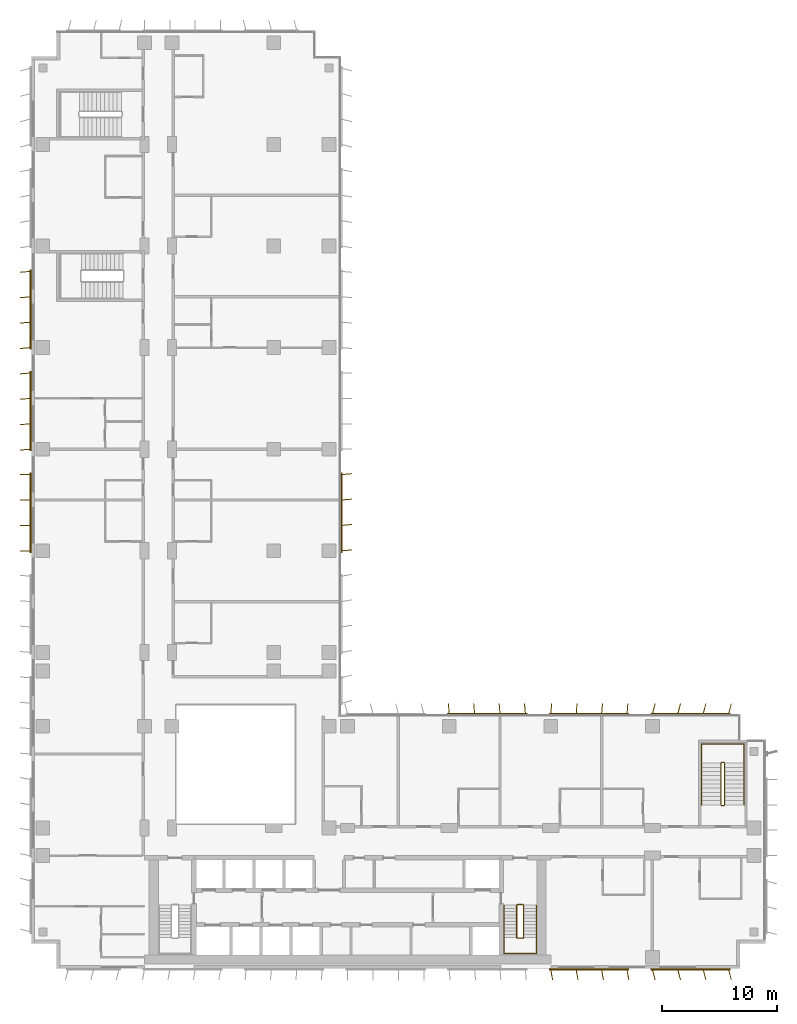
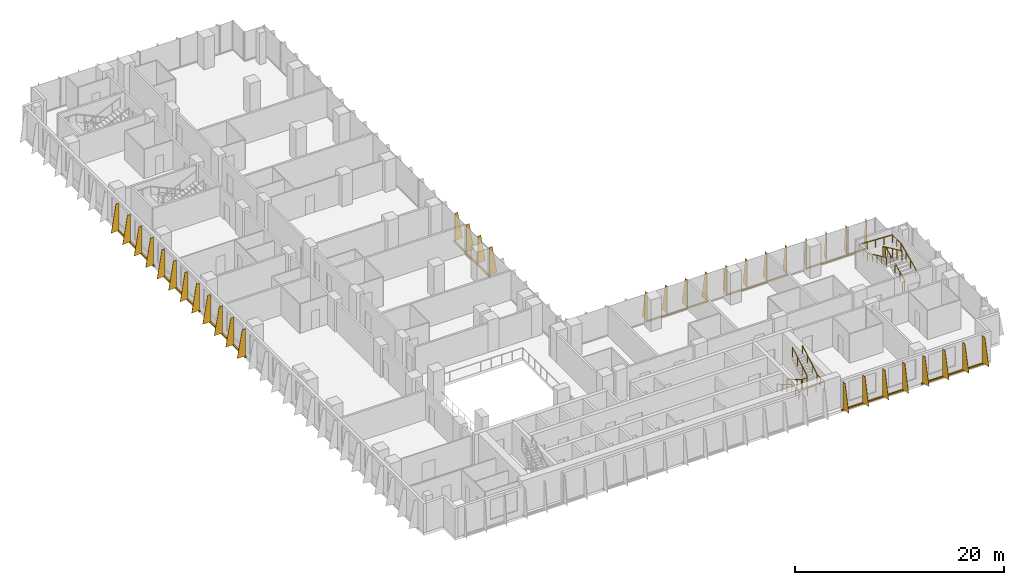
# One storey, part 20 of 22: 9 shading devices, 4 railings.
"""IFC4 building model written with IfcOpenShell, lengths in metres."""

from ifc_helpers import new_model, si_unit, direction, frame, origin, origin_2d, place, context, subcontext, project, spatial, polyline, rectangle, circle, outline, extrude, source, transform, mapped, material, layer, layer_set, type_object, element, save


model = new_model("IFC4")

# Units and contexts
model_context = context("Model", 3, precision=1e-05, world=origin(), true_north=direction((0.0, 1.0)))
body_context = subcontext(model_context, "Body", "Model", "MODEL_VIEW")
ifc_project = project(units=[si_unit("LENGTHUNIT", "METRE"), si_unit("AREAUNIT", "SQUARE_METRE"), si_unit("VOLUMEUNIT", "CUBIC_METRE"), si_unit("PLANEANGLEUNIT", "RADIAN"), si_unit("MASSUNIT", "GRAM", prefix="KILO")], contexts=[model_context])

# Site, building, storey
site_placement = place(None, origin())
site = spatial("IfcSite", under=ifc_project, at=site_placement, CompositionType="ELEMENT")
building_placement = place(site_placement, origin())
building = spatial("IfcBuilding", under=site, at=building_placement, Name="Kemantara Hotel Tower", CompositionType="ELEMENT")
storey_placement = place(building_placement, frame((0.0, 0.0, 122.199951171875)))
storey = spatial("IfcBuildingStorey", under=building, at=storey_placement, Name="L29", CompositionType="ELEMENT", Elevation=122.199951171875)

# Railings
ifc_material_1 = material(Name="Stainless steel balustrade", Category="steel")
railing_type_1 = type_object("IfcRailingType", Name="Stair guard 1100 mm", PredefinedType="GUARDRAIL", material=ifc_material_1)
railing_1_placement = place(storey_placement, frame((42.64990234375, 5.5, 3.699951171875)))
element("IfcRailing", 1, at=railing_1_placement, inside=storey, type_object=railing_type_1, Name="L29 ST2 stair guard 1", PredefinedType="GUARDRAIL", context=body_context, shape_type="SweptSolid", body=[
    extrude(circle(Radius=0.02392578125, at=origin_2d()), frame((0.0, 0.0, 1.076171875), z_axis=(0.0, -0.857275202839, -0.514858452973), x_axis=(1.0, 0.0, 0.0)), (0.0, 0.0, 1.0), 3.26611328125),
    extrude(circle(Radius=0.02392578125, at=origin_2d()), frame((0.0, -2.800048828125, -0.60546875), z_axis=(-0.273006030465, -0.27434429532, -0.922064485248), x_axis=(0.708833529934, -0.705375805398, 0.0)), (0.0, 0.0, 1.0), 0.182373046875),
    extrude(circle(Radius=0.02392578125, at=origin_2d()), frame((-0.0498046875, -2.85009765625, -0.77392578125), z_axis=(-1.0, 0.0, 0.0), x_axis=(0.0, -1.0, 0.0)), (0.0, 0.0, 1.0), 0.5),
    extrude(circle(Radius=0.02392578125, at=origin_2d()), frame((-0.5498046875, -2.85009765625, -0.77392578125), z_axis=(-0.707106781187, 0.707106781187, 0.0), x_axis=(-0.707106781187, -0.707106781187, 0.0)), (0.0, 0.0, 1.0), 0.07080078125),
    extrude(circle(Radius=0.02392578125, at=origin_2d()), frame((-0.599853515625, -2.800048828125, -0.77392578125), z_axis=(0.0, 0.857242210791, -0.514913383045), x_axis=(-1.0, 0.0, 0.0)), (0.0, 0.0, 1.0), 3.266357421875),
    extrude(circle(Radius=0.02392578125, at=origin_2d()), frame((-0.599853515625, 0.0, -2.45556640625), z_axis=(0.274243871929, 0.274243871929, -0.92172696468), x_axis=(-0.707106781187, 0.707106781187, 0.0)), (0.0, 0.0, 1.0), 0.1826171875),
    extrude(circle(Radius=0.02392578125, at=origin_2d()), frame((-0.5498046875, 0.050048828125, -2.6240234375), z_axis=(1.0, 0.0, 0.0), x_axis=(0.0, 1.0, 0.0)), (0.0, 0.0, 1.0), 0.5),
    extrude(circle(Radius=0.02099609375, at=origin_2d()), origin(), (0.0, 0.0, 1.0), 1.052001953125),
    extrude(circle(Radius=0.02099609375, at=origin_2d()), frame((0.0, -0.933349609375, -0.560546875)), (0.0, 0.0, 1.0), 1.052001953125),
    extrude(circle(Radius=0.02099609375, at=origin_2d()), frame((0.0, -1.86669921875, -1.12109375)), (0.0, 0.0, 1.0), 1.052001953125),
    extrude(circle(Radius=0.02099609375, at=origin_2d()), frame((0.0, -2.800048828125, -1.681640625)), (0.0, 0.0, 1.0), 1.052001953125),
    extrude(circle(Radius=0.02099609375, at=origin_2d()), frame((-0.0498046875, -2.85009765625, -1.849853515625)), (0.0, 0.0, 1.0), 1.052001953125),
    extrude(circle(Radius=0.02099609375, at=origin_2d()), frame((-0.5498046875, -2.85009765625, -1.849853515625)), (0.0, 0.0, 1.0), 1.052001953125),
    extrude(circle(Radius=0.02099609375, at=origin_2d()), frame((-0.599853515625, -2.800048828125, -1.849853515625)), (0.0, 0.0, 1.0), 1.052001953125),
    extrude(circle(Radius=0.02099609375, at=origin_2d()), frame((-0.599853515625, -1.86669921875, -2.410400390625)), (0.0, 0.0, 1.0), 1.052001953125),
    extrude(circle(Radius=0.02099609375, at=origin_2d()), frame((-0.599853515625, -0.933349609375, -2.97119140625)), (0.0, 0.0, 1.0), 1.052001953125),
    extrude(circle(Radius=0.02099609375, at=origin_2d()), frame((-0.599853515625, 0.0, -3.53173828125)), (0.0, 0.0, 1.0), 1.052001953125),
    extrude(circle(Radius=0.02099609375, at=origin_2d()), frame((-0.5498046875, 0.050048828125, -3.699951171875)), (0.0, 0.0, 1.0), 1.052001953125),
    extrude(circle(Radius=0.02099609375, at=origin_2d()), frame((-0.0498046875, 0.050048828125, -3.699951171875)), (0.0, 0.0, 1.0), 1.052001953125),
])
railing_2_placement = place(storey_placement, frame((59.75, 14.199951171875, 3.699951171875)))
element("IfcRailing", 2, at=railing_2_placement, inside=storey, type_object=railing_type_1, Name="L29 ST3 stair guard 1", PredefinedType="GUARDRAIL", context=body_context, shape_type="SweptSolid", body=[
    extrude(circle(Radius=0.02392578125, at=origin_2d()), frame((0.0, 0.0, 1.076171875), z_axis=(0.0, 0.906029249863, -0.423215073447), x_axis=(-1.0, 0.0, 0.0)), (0.0, 0.0, 1.0), 3.973388671875),
    extrude(circle(Radius=0.02392578125, at=origin_2d()), frame((0.0, 3.60009765625, -0.60546875), z_axis=(0.274243871929, 0.274243871929, -0.92172696468), x_axis=(-0.707106781187, 0.707106781187, 0.0)), (0.0, 0.0, 1.0), 0.1826171875),
    extrude(circle(Radius=0.02392578125, at=origin_2d()), frame((0.050048828125, 3.650146484375, -0.77392578125), z_axis=(1.0, 0.0, 0.0), x_axis=(0.0, 1.0, 0.0)), (0.0, 0.0, 1.0), 0.199951171875),
    extrude(circle(Radius=0.02392578125, at=origin_2d()), frame((0.25, 3.650146484375, -0.77392578125), z_axis=(0.707106781187, -0.707106781187, 0.0), x_axis=(0.707106781187, 0.707106781187, 0.0)), (0.0, 0.0, 1.0), 0.07080078125),
    extrude(circle(Radius=0.02392578125, at=origin_2d()), frame((0.300048828125, 3.60009765625, -0.77392578125), z_axis=(0.0, -0.906005689286, -0.423265508849), x_axis=(1.0, 0.0, 0.0)), (0.0, 0.0, 1.0), 3.9736328125),
    extrude(circle(Radius=0.02392578125, at=origin_2d()), frame((0.300048828125, 0.0, -2.45556640625), z_axis=(-0.274243871929, -0.274243871929, -0.92172696468), x_axis=(0.707106781187, -0.707106781187, 0.0)), (0.0, 0.0, 1.0), 0.1826171875),
    extrude(circle(Radius=0.02392578125, at=origin_2d()), frame((0.25, -0.050048828125, -2.6240234375), z_axis=(-1.0, 0.0, 0.0), x_axis=(0.0, -1.0, 0.0)), (0.0, 0.0, 1.0), 0.199951171875),
    extrude(circle(Radius=0.02099609375, at=origin_2d()), origin(), (0.0, 0.0, 1.0), 1.052001953125),
    extrude(circle(Radius=0.02099609375, at=origin_2d()), frame((0.0, 0.89990234375, -0.42041015625)), (0.0, 0.0, 1.0), 1.052001953125),
    extrude(circle(Radius=0.02099609375, at=origin_2d()), frame((0.0, 1.800048828125, -0.8408203125)), (0.0, 0.0, 1.0), 1.052001953125),
    extrude(circle(Radius=0.02099609375, at=origin_2d()), frame((0.0, 2.7001953125, -1.26123046875)), (0.0, 0.0, 1.0), 1.052001953125),
    extrude(circle(Radius=0.02099609375, at=origin_2d()), frame((0.0, 3.60009765625, -1.681640625)), (0.0, 0.0, 1.0), 1.052001953125),
    extrude(circle(Radius=0.02099609375, at=origin_2d()), frame((0.050048828125, 3.650146484375, -1.849853515625)), (0.0, 0.0, 1.0), 1.052001953125),
    extrude(circle(Radius=0.02099609375, at=origin_2d()), frame((0.25, 3.650146484375, -1.849853515625)), (0.0, 0.0, 1.0), 1.052001953125),
    extrude(circle(Radius=0.02099609375, at=origin_2d()), frame((0.300048828125, 3.60009765625, -1.849853515625)), (0.0, 0.0, 1.0), 1.052001953125),
    extrude(circle(Radius=0.02099609375, at=origin_2d()), frame((0.300048828125, 2.7001953125, -2.270263671875)), (0.0, 0.0, 1.0), 1.052001953125),
    extrude(circle(Radius=0.02099609375, at=origin_2d()), frame((0.300048828125, 1.800048828125, -2.69091796875)), (0.0, 0.0, 1.0), 1.052001953125),
    extrude(circle(Radius=0.02099609375, at=origin_2d()), frame((0.300048828125, 0.89990234375, -3.111328125)), (0.0, 0.0, 1.0), 1.052001953125),
    extrude(circle(Radius=0.02099609375, at=origin_2d()), frame((0.300048828125, 0.0, -3.53173828125)), (0.0, 0.0, 1.0), 1.052001953125),
    extrude(circle(Radius=0.02099609375, at=origin_2d()), frame((0.25, -0.050048828125, -3.699951171875)), (0.0, 0.0, 1.0), 1.052001953125),
    extrude(circle(Radius=0.02099609375, at=origin_2d()), frame((0.050048828125, -0.050048828125, -3.699951171875)), (0.0, 0.0, 1.0), 1.052001953125),
])
railing_type_2 = type_object("IfcRailingType", Name="Stair handrail 900 mm", PredefinedType="HANDRAIL", material=ifc_material_1)
railing_3_placement = place(storey_placement, frame((40.949951171875, 5.5, 0.168212890625)))
element("IfcRailing", 3, at=railing_3_placement, inside=storey, type_object=railing_type_2, Name="L29 ST2 stair handrail 1", PredefinedType="HANDRAIL", context=body_context, shape_type="SweptSolid", body=[
    extrude(circle(Radius=0.02392578125, at=origin_2d()), frame((0.0, 0.0, 0.8759765625), z_axis=(0.0, -0.857242210791, 0.514913383045), x_axis=(1.0, 0.0, 0.0)), (0.0, 0.0, 1.0), 3.266357421875),
    extrude(circle(Radius=0.02392578125, at=origin_2d()), frame((0.0, -2.800048828125, 2.5576171875), z_axis=(0.0, -1.0, 0.0), x_axis=(1.0, 0.0, 0.0)), (0.0, 0.0, 1.0), 1.3798828125),
    extrude(circle(Radius=0.02392578125, at=origin_2d()), frame((0.0, -4.179931640625, 2.5576171875), z_axis=(0.998200367801, 0.0, 0.059966871865), x_axis=(0.0, 1.0, 0.0)), (0.0, 0.0, 1.0), 2.80517578125),
    extrude(circle(Radius=0.02392578125, at=origin_2d()), frame((2.800048828125, -4.179931640625, 2.72607421875), z_axis=(0.0, 1.0, 0.0), x_axis=(-1.0, 0.0, 0.0)), (0.0, 0.0, 1.0), 1.3798828125),
    extrude(circle(Radius=0.02392578125, at=origin_2d()), frame((2.800048828125, -2.800048828125, 2.72607421875), z_axis=(0.0, 0.857275202839, 0.514858452973), x_axis=(-1.0, 0.0, 0.0)), (0.0, 0.0, 1.0), 3.26611328125),
    extrude(circle(Radius=0.02099609375, at=origin_2d()), origin(), (0.0, 0.0, 1.0), 0.851806640625),
    extrude(circle(Radius=0.02099609375, at=origin_2d()), frame((0.0, -0.933349609375, 0.560546875)), (0.0, 0.0, 1.0), 0.851806640625),
    extrude(circle(Radius=0.02099609375, at=origin_2d()), frame((0.0, -1.86669921875, 1.121337890625)), (0.0, 0.0, 1.0), 0.851806640625),
    extrude(circle(Radius=0.02099609375, at=origin_2d()), frame((0.0, -2.800048828125, 1.681884765625)), (0.0, 0.0, 1.0), 0.851806640625),
    extrude(circle(Radius=0.02099609375, at=origin_2d()), frame((0.0, -3.489990234375, 1.681884765625)), (0.0, 0.0, 1.0), 0.851806640625),
    extrude(circle(Radius=0.02099609375, at=origin_2d()), frame((0.0, -4.179931640625, 1.681884765625)), (0.0, 0.0, 1.0), 0.851806640625),
    extrude(circle(Radius=0.02099609375, at=origin_2d()), frame((0.933349609375, -4.179931640625, 1.738037109375)), (0.0, 0.0, 1.0), 0.851806640625),
    extrude(circle(Radius=0.02099609375, at=origin_2d()), frame((1.86669921875, -4.179931640625, 1.7939453125)), (0.0, 0.0, 1.0), 0.851806640625),
    extrude(circle(Radius=0.02099609375, at=origin_2d()), frame((2.800048828125, -4.179931640625, 1.85009765625)), (0.0, 0.0, 1.0), 0.851806640625),
    extrude(circle(Radius=0.02099609375, at=origin_2d()), frame((2.800048828125, -3.489990234375, 1.85009765625)), (0.0, 0.0, 1.0), 0.851806640625),
    extrude(circle(Radius=0.02099609375, at=origin_2d()), frame((2.800048828125, -2.800048828125, 1.85009765625)), (0.0, 0.0, 1.0), 0.851806640625),
    extrude(circle(Radius=0.02099609375, at=origin_2d()), frame((2.800048828125, -1.86669921875, 2.41064453125)), (0.0, 0.0, 1.0), 0.851806640625),
    extrude(circle(Radius=0.02099609375, at=origin_2d()), frame((2.800048828125, -0.933349609375, 2.97119140625)), (0.0, 0.0, 1.0), 0.851806640625),
    extrude(circle(Radius=0.02099609375, at=origin_2d()), frame((2.800048828125, 0.0, 3.53173828125)), (0.0, 0.0, 1.0), 0.851806640625),
])
railing_4_placement = place(storey_placement, frame((61.75, 14.199951171875, 0.168212890625)))
element("IfcRailing", 4, at=railing_4_placement, inside=storey, type_object=railing_type_2, Name="L29 ST3 stair handrail 1", PredefinedType="HANDRAIL", context=body_context, shape_type="SweptSolid", body=[
    extrude(circle(Radius=0.02392578125, at=origin_2d()), frame((0.0, 0.0, 0.8759765625), z_axis=(0.0, 0.906005689286, 0.423265508849), x_axis=(-1.0, 0.0, 0.0)), (0.0, 0.0, 1.0), 3.9736328125),
    extrude(circle(Radius=0.02392578125, at=origin_2d()), frame((0.0, 3.60009765625, 2.5576171875), z_axis=(0.0, 1.0, 0.0), x_axis=(-1.0, 0.0, 0.0)), (0.0, 0.0, 1.0), 1.679931640625),
    extrude(circle(Radius=0.02392578125, at=origin_2d()), frame((0.0, 5.280029296875, 2.5576171875), z_axis=(-0.998968132438, 0.0, 0.045416631029), x_axis=(0.0, -1.0, 0.0)), (0.0, 0.0, 1.0), 3.703857421875),
    extrude(circle(Radius=0.02392578125, at=origin_2d()), frame((-3.699951171875, 5.280029296875, 2.72607421875), z_axis=(0.0, -1.0, 0.0), x_axis=(1.0, 0.0, 0.0)), (0.0, 0.0, 1.0), 1.679931640625),
    extrude(circle(Radius=0.02392578125, at=origin_2d()), frame((-3.699951171875, 3.60009765625, 2.72607421875), z_axis=(0.0, -0.906029249863, 0.423215073447), x_axis=(1.0, 0.0, 0.0)), (0.0, 0.0, 1.0), 3.973388671875),
    extrude(circle(Radius=0.02099609375, at=origin_2d()), origin(), (0.0, 0.0, 1.0), 0.851806640625),
    extrude(circle(Radius=0.02099609375, at=origin_2d()), frame((0.0, 0.89990234375, 0.42041015625)), (0.0, 0.0, 1.0), 0.851806640625),
    extrude(circle(Radius=0.02099609375, at=origin_2d()), frame((0.0, 1.800048828125, 0.8408203125)), (0.0, 0.0, 1.0), 0.851806640625),
    extrude(circle(Radius=0.02099609375, at=origin_2d()), frame((0.0, 2.7001953125, 1.261474609375)), (0.0, 0.0, 1.0), 0.851806640625),
    extrude(circle(Radius=0.02099609375, at=origin_2d()), frame((0.0, 3.60009765625, 1.681884765625)), (0.0, 0.0, 1.0), 0.851806640625),
    extrude(circle(Radius=0.02099609375, at=origin_2d()), frame((0.0, 4.43994140625, 1.681884765625)), (0.0, 0.0, 1.0), 0.851806640625),
    extrude(circle(Radius=0.02099609375, at=origin_2d()), frame((0.0, 5.280029296875, 1.681884765625)), (0.0, 0.0, 1.0), 0.851806640625),
    extrude(circle(Radius=0.02099609375, at=origin_2d()), frame((-0.925048828125, 5.280029296875, 1.723876953125)), (0.0, 0.0, 1.0), 0.851806640625),
    extrude(circle(Radius=0.02099609375, at=origin_2d()), frame((-1.85009765625, 5.280029296875, 1.76611328125)), (0.0, 0.0, 1.0), 0.851806640625),
    extrude(circle(Radius=0.02099609375, at=origin_2d()), frame((-2.77490234375, 5.280029296875, 1.80810546875)), (0.0, 0.0, 1.0), 0.851806640625),
    extrude(circle(Radius=0.02099609375, at=origin_2d()), frame((-3.699951171875, 5.280029296875, 1.85009765625)), (0.0, 0.0, 1.0), 0.851806640625),
    extrude(circle(Radius=0.02099609375, at=origin_2d()), frame((-3.699951171875, 4.43994140625, 1.85009765625)), (0.0, 0.0, 1.0), 0.851806640625),
    extrude(circle(Radius=0.02099609375, at=origin_2d()), frame((-3.699951171875, 3.60009765625, 1.85009765625)), (0.0, 0.0, 1.0), 0.851806640625),
    extrude(circle(Radius=0.02099609375, at=origin_2d()), frame((-3.699951171875, 2.7001953125, 2.2705078125)), (0.0, 0.0, 1.0), 0.851806640625),
    extrude(circle(Radius=0.02099609375, at=origin_2d()), frame((-3.699951171875, 1.800048828125, 2.69091796875)), (0.0, 0.0, 1.0), 0.851806640625),
    extrude(circle(Radius=0.02099609375, at=origin_2d()), frame((-3.699951171875, 0.89990234375, 3.111328125)), (0.0, 0.0, 1.0), 0.851806640625),
    extrude(circle(Radius=0.02099609375, at=origin_2d()), frame((-3.699951171875, 0.0, 3.53173828125)), (0.0, 0.0, 1.0), 0.851806640625),
])

# Shading devices
ifc_material_2 = material(Name="Perforated aluminium plate 4 mm bronze anodised", Category="aluminium")
ifc_layer_1 = layer(ifc_material_2, 0.0400390625)
ifc_layer_set_1 = layer_set([ifc_layer_1], Name="Perforated aluminium plate 4 mm bronze anodised")
shading_device_type_1 = type_object("IfcShadingDeviceType", Name="SCREEN FIN CASSETTE, 4 BLADES AT -5.0 DEG, 3200 HIGH", PredefinedType="USERDEFINED", material=ifc_layer_set_1)
shared_shape_1 = source(origin(), body_context, "Body", "SweptSolid", [
    extrude(rectangle(XDim=6.89990234375, YDim=0.14990234375, at=origin_2d()), frame((3.300048828125, -0.074951171875, -0.14990234375), z_axis=(0.0, 0.0, 1.0), x_axis=(1.0, 0.0, 0.0)), (0.0, 0.0, 1.0), 0.14990234375),
    extrude(outline(polyline([(0.0, 0.0), (0.89990234375, 0.0), (0.35009765625, 3.199951171875), (0.0, 3.199951171875), (0.0, 0.0)])), frame((0.02001953125, -0.07666015625, 0.0), z_axis=(-0.996376129781, 0.085056498884, 0.0), x_axis=(-0.085056498884, -0.996376129781, 0.0)), (0.0, 0.0, 1.0), 0.040283203125),
    extrude(outline(polyline([(0.0, 0.0), (0.89990234375, 0.0), (0.35009765625, 3.199951171875), (0.0, 3.199951171875), (0.0, 0.0)])), frame((2.219970703125, -0.07666015625, 0.0), z_axis=(-0.996331773833, 0.085574508182, 0.0), x_axis=(-0.085574508182, -0.996331773833, 0.0)), (0.0, 0.0, 1.0), 0.0400390625),
    extrude(outline(polyline([(0.0, 0.0), (0.89990234375, 0.0), (0.35009765625, 3.199951171875), (0.0, 3.199951171875), (0.0, 0.0)])), frame((4.419921875, -0.07666015625, 0.0), z_axis=(-0.996331773833, 0.085574508182, 0.0), x_axis=(-0.085574508182, -0.996331773833, 0.0)), (0.0, 0.0, 1.0), 0.0400390625),
    extrude(outline(polyline([(0.0, 0.0), (0.89990234375, 0.0), (0.35009765625, 3.199951171875), (0.0, 3.199951171875), (0.0, 0.0)])), frame((6.619873046875, -0.07666015625, 0.0), z_axis=(-0.996331773833, 0.085574508182, 0.0), x_axis=(-0.085574508182, -0.996331773833, 0.0)), (0.0, 0.0, 1.0), 0.0400390625),
])
shading_device_1_placement = place(storey_placement, frame((51.60009765625, 22.0, 0.10009765625), z_axis=(0.0, 0.0, 1.0), x_axis=(-1.0, 0.0, 0.0)))
element("IfcShadingDevice", 5, at=shading_device_1_placement, inside=storey, type_object=shading_device_type_1, Name="SCREEN FIN CASSETTE L29 T2-R13-2", ObjectType="SCREEN FIN", PredefinedType="USERDEFINED", context=body_context, shape_type="MappedRepresentation", body=[
    mapped(shared_shape_1, transform((0.0, 0.0, 0.0))),
])
ifc_layer_2 = layer(ifc_material_2, 0.0400390625)
ifc_layer_set_2 = layer_set([ifc_layer_2], Name="Perforated aluminium plate 4 mm bronze anodised")
shading_device_type_2 = type_object("IfcShadingDeviceType", Name="SCREEN FIN CASSETTE, 4 BLADES AT +0.0 DEG, 3200 HIGH", PredefinedType="USERDEFINED", material=ifc_layer_set_2)
shared_shape_2 = source(origin(), body_context, "Body", "SweptSolid", [
    extrude(rectangle(XDim=6.89990234375, YDim=0.14990234375, at=origin_2d()), frame((3.300048828125, -0.074951171875, -0.14990234375), z_axis=(0.0, 0.0, 1.0), x_axis=(1.0, 0.0, 0.0)), (0.0, 0.0, 1.0), 0.14990234375),
    extrude(outline(polyline([(0.0, 0.0), (0.89990234375, 0.0), (0.35009765625, 3.199951171875), (0.0, 3.199951171875), (0.0, 0.0)])), frame((0.02001953125, -0.074951171875, 0.0), z_axis=(-1.0, 0.0, 0.0), x_axis=(0.0, -1.0, 0.0)), (0.0, 0.0, 1.0), 0.0400390625),
    extrude(outline(polyline([(0.0, 0.0), (0.89990234375, 0.0), (0.35009765625, 3.199951171875), (0.0, 3.199951171875), (0.0, 0.0)])), frame((2.219970703125, -0.074951171875, 0.0), z_axis=(-1.0, 0.0, 0.0), x_axis=(0.0, -1.0, 0.0)), (0.0, 0.0, 1.0), 0.0400390625),
    extrude(outline(polyline([(0.0, 0.0), (0.89990234375, 0.0), (0.35009765625, 3.199951171875), (0.0, 3.199951171875), (0.0, 0.0)])), frame((4.419921875, -0.074951171875, 0.0), z_axis=(-1.0, 0.0, 0.0), x_axis=(0.0, -1.0, 0.0)), (0.0, 0.0, 1.0), 0.0400390625),
    extrude(outline(polyline([(0.0, 0.0), (0.89990234375, 0.0), (0.35009765625, 3.199951171875), (0.0, 3.199951171875), (0.0, 0.0)])), frame((6.6201171875, -0.074951171875, 0.0), z_axis=(-1.0, 0.0, 0.0), x_axis=(0.0, -1.0, 0.0)), (0.0, 0.0, 1.0), 0.0400390625),
])
shading_device_2_placement = place(storey_placement, frame((0.0, 42.800048828125, 0.10009765625), z_axis=(0.0, 0.0, 1.0), x_axis=(0.0, -1.0, 0.0)))
element("IfcShadingDevice", 6, at=shading_device_2_placement, inside=storey, type_object=shading_device_type_2, Name="SCREEN FIN CASSETTE L29 T2-R04-5", ObjectType="SCREEN FIN", PredefinedType="USERDEFINED", context=body_context, shape_type="MappedRepresentation", body=[
    mapped(shared_shape_2, transform((0.0, 0.0, 0.0))),
])
ifc_layer_3 = layer(ifc_material_2, 0.0400390625)
ifc_layer_set_3 = layer_set([ifc_layer_3], Name="Perforated aluminium plate 4 mm bronze anodised")
shading_device_type_3 = type_object("IfcShadingDeviceType", Name="SCREEN FIN CASSETTE, 4 BLADES AT +5.0 DEG, 3200 HIGH", PredefinedType="USERDEFINED", material=ifc_layer_set_3)
shared_shape_3 = source(origin(), body_context, "Body", "SweptSolid", [
    extrude(rectangle(XDim=6.89990234375, YDim=0.14990234375, at=origin_2d()), frame((3.300048828125, -0.074951171875, -0.14990234375), z_axis=(0.0, 0.0, 1.0), x_axis=(1.0, 0.0, 0.0)), (0.0, 0.0, 1.0), 0.14990234375),
    extrude(outline(polyline([(0.0, 0.0), (0.89990234375, 0.0), (0.35009765625, 3.199951171875), (0.0, 3.199951171875), (0.0, 0.0)])), frame((0.02001953125, -0.0732421875, 0.0), z_axis=(-0.996376129781, -0.085056498884, 0.0), x_axis=(0.085056498884, -0.996376129781, 0.0)), (0.0, 0.0, 1.0), 0.040283203125),
    extrude(outline(polyline([(0.0, 0.0), (0.89990234375, 0.0), (0.35009765625, 3.199951171875), (0.0, 3.199951171875), (0.0, 0.0)])), frame((2.219970703125, -0.0732421875, 0.0), z_axis=(-0.996331773833, -0.085574508182, 0.0), x_axis=(0.085574508182, -0.996331773833, 0.0)), (0.0, 0.0, 1.0), 0.0400390625),
    extrude(outline(polyline([(0.0, 0.0), (0.89990234375, 0.0), (0.35009765625, 3.199951171875), (0.0, 3.199951171875), (0.0, 0.0)])), frame((4.419921875, -0.0732421875, 0.0), z_axis=(-0.996331773833, -0.085574508182, 0.0), x_axis=(0.085574508182, -0.996331773833, 0.0)), (0.0, 0.0, 1.0), 0.0400390625),
    extrude(outline(polyline([(0.0, 0.0), (0.89990234375, 0.0), (0.35009765625, 3.199951171875), (0.0, 3.199951171875), (0.0, 0.0)])), frame((6.619873046875, -0.0732421875, 0.0), z_axis=(-0.996331773833, -0.085574508182, 0.0), x_axis=(0.085574508182, -0.996331773833, 0.0)), (0.0, 0.0, 1.0), 0.0400390625),
])
for number, where, z_axis, x_axis, name in (
    (7, (0.0, 60.39990234375, 0.10009765625), (0.0, 0.0, 1.0), (0.0, -1.0, 0.0), "SCREEN FIN CASSETTE L29 T2-R04-3"),
    (8, (0.0, 51.60009765625, 0.10009765625), (0.0, 0.0, 1.0), (0.0, -1.0, 0.0), "SCREEN FIN CASSETTE L29 T2-R04-4"),
    (9, (42.800048828125, 22.0, 0.10009765625), (0.0, 0.0, 1.0), (-1.0, 0.0, 0.0), "SCREEN FIN CASSETTE L29 T2-R13-3"),
    (10, (26.800048828125, 36.199951171875, 0.10009765625), (0.0, 0.0, 1.0), (0.0, 1.0, 0.0), "SCREEN FIN CASSETTE L29 T2-R14-3"),
):
    element("IfcShadingDevice", number, at=place(storey_placement, frame(where, z_axis=z_axis, x_axis=x_axis)), inside=storey, type_object=shading_device_type_3, Name=name, ObjectType="SCREEN FIN", PredefinedType="USERDEFINED", context=body_context, shape_type="MappedRepresentation", body=[
        mapped(shared_shape_3, transform((0.0, 0.0, 0.0))),
    ])
ifc_layer_4 = layer(ifc_material_2, 0.0400390625)
ifc_layer_set_4 = layer_set([ifc_layer_4], Name="Perforated aluminium plate 4 mm bronze anodised")
shading_device_type_4 = type_object("IfcShadingDeviceType", Name="SCREEN FIN CASSETTE, 4 BLADES AT +10.0 DEG, 3200 HIGH", PredefinedType="USERDEFINED", material=ifc_layer_set_4)
shared_shape_4 = source(origin(), body_context, "Body", "SweptSolid", [
    extrude(rectangle(XDim=6.89990234375, YDim=0.14990234375, at=origin_2d()), frame((3.300048828125, -0.074951171875, -0.14990234375), z_axis=(0.0, 0.0, 1.0), x_axis=(1.0, 0.0, 0.0)), (0.0, 0.0, 1.0), 0.14990234375),
    extrude(outline(polyline([(0.0, 0.0), (0.89990234375, 0.0), (0.35009765625, 3.199951171875), (0.0, 3.199951171875), (0.0, 0.0)])), frame((0.019775390625, -0.071533203125, 0.0), z_axis=(-0.985389793052, -0.170314285219, 0.0), x_axis=(0.170314285219, -0.985389793052, 0.0)), (0.0, 0.0, 1.0), 0.0400390625),
    extrude(outline(polyline([(0.0, 0.0), (0.89990234375, 0.0), (0.35009765625, 3.199951171875), (0.0, 3.199951171875), (0.0, 0.0)])), frame((2.2197265625, -0.071533203125, 0.0), z_axis=(-0.98521175482, -0.171341174751, 0.0), x_axis=(0.171341174751, -0.98521175482, 0.0)), (0.0, 0.0, 1.0), 0.039794921875),
    extrude(outline(polyline([(0.0, 0.0), (0.89990234375, 0.0), (0.35009765625, 3.199951171875), (0.0, 3.199951171875), (0.0, 0.0)])), frame((4.419677734375, -0.071533203125, 0.0), z_axis=(-0.98521175482, -0.171341174751, 0.0), x_axis=(0.171341174751, -0.98521175482, 0.0)), (0.0, 0.0, 1.0), 0.039794921875),
    extrude(outline(polyline([(0.0, 0.0), (0.89990234375, 0.0), (0.35009765625, 3.199951171875), (0.0, 3.199951171875), (0.0, 0.0)])), frame((6.61962890625, -0.071533203125, 0.0), z_axis=(-0.98521175482, -0.171341174751, 0.0), x_axis=(0.171341174751, -0.98521175482, 0.0)), (0.0, 0.0, 1.0), 0.039794921875),
])
shading_device_3_placement = place(storey_placement, frame((45.0, 0.0, 0.10009765625), z_axis=(0.0, 0.0, 1.0), x_axis=(1.0, 0.0, 0.0)))
element("IfcShadingDevice", 11, at=shading_device_3_placement, inside=storey, type_object=shading_device_type_4, Name="SCREEN FIN CASSETTE L29 T2-R07-6", ObjectType="SCREEN FIN", PredefinedType="USERDEFINED", context=body_context, shape_type="MappedRepresentation", body=[
    mapped(shared_shape_4, transform((0.0, 0.0, 0.0))),
])
ifc_layer_5 = layer(ifc_material_2, 0.0400390625)
ifc_layer_set_5 = layer_set([ifc_layer_5], Name="Perforated aluminium plate 4 mm bronze anodised")
shading_device_type_5 = type_object("IfcShadingDeviceType", Name="SCREEN FIN CASSETTE, 4 BLADES AT +15.0 DEG, 3200 HIGH", PredefinedType="USERDEFINED", material=ifc_layer_set_5)
shared_shape_5 = source(origin(), body_context, "Body", "SweptSolid", [
    extrude(rectangle(XDim=6.89990234375, YDim=0.14990234375, at=origin_2d()), frame((3.300048828125, -0.074951171875, -0.14990234375), z_axis=(0.0, 0.0, 1.0), x_axis=(1.0, 0.0, 0.0)), (0.0, 0.0, 1.0), 0.14990234375),
    extrude(outline(polyline([(0.0, 0.0), (0.89990234375, 0.0), (0.35009765625, 3.199951171875), (0.0, 3.199951171875), (0.0, 0.0)])), frame((0.019287109375, -0.06982421875, 0.0), z_axis=(-0.966437683387, -0.256901156343, 0.0), x_axis=(0.256901156343, -0.966437683387, 0.0)), (0.0, 0.0, 1.0), 0.039794921875),
    extrude(outline(polyline([(0.0, 0.0), (0.89990234375, 0.0), (0.35009765625, 3.199951171875), (0.0, 3.199951171875), (0.0, 0.0)])), frame((2.21923828125, -0.06982421875, 0.0), z_axis=(-0.966437683387, -0.256901156343, 0.0), x_axis=(0.256901156343, -0.966437683387, 0.0)), (0.0, 0.0, 1.0), 0.039794921875),
    extrude(outline(polyline([(0.0, 0.0), (0.89990234375, 0.0), (0.35009765625, 3.199951171875), (0.0, 3.199951171875), (0.0, 0.0)])), frame((4.41943359375, -0.06982421875, 0.0), z_axis=(-0.966837822169, -0.255391122837, 0.0), x_axis=(0.255391122837, -0.966837822169, 0.0)), (0.0, 0.0, 1.0), 0.0400390625),
    extrude(outline(polyline([(0.0, 0.0), (0.89990234375, 0.0), (0.35009765625, 3.199951171875), (0.0, 3.199951171875), (0.0, 0.0)])), frame((6.619384765625, -0.06982421875, 0.0), z_axis=(-0.966837822169, -0.255391122837, 0.0), x_axis=(0.255391122837, -0.966837822169, 0.0)), (0.0, 0.0, 1.0), 0.0400390625),
])
shading_device_4_placement = place(storey_placement, frame((53.800048828125, 0.0, 0.10009765625), z_axis=(0.0, 0.0, 1.0), x_axis=(1.0, 0.0, 0.0)))
element("IfcShadingDevice", 12, at=shading_device_4_placement, inside=storey, type_object=shading_device_type_5, Name="SCREEN FIN CASSETTE L29 T2-R07-7", ObjectType="SCREEN FIN", PredefinedType="USERDEFINED", context=body_context, shape_type="MappedRepresentation", body=[
    mapped(shared_shape_5, transform((0.0, 0.0, 0.0))),
])
ifc_layer_6 = layer(ifc_material_2, 0.0400390625)
ifc_layer_set_6 = layer_set([ifc_layer_6], Name="Perforated aluminium plate 4 mm bronze anodised")
shading_device_type_6 = type_object("IfcShadingDeviceType", Name="SCREEN FIN CASSETTE, 4 BLADES AT -15.0 DEG, 3200 HIGH", PredefinedType="USERDEFINED", material=ifc_layer_set_6)
shared_shape_6 = source(origin(), body_context, "Body", "SweptSolid", [
    extrude(rectangle(XDim=6.89990234375, YDim=0.14990234375, at=origin_2d()), frame((3.300048828125, -0.074951171875, -0.14990234375), z_axis=(0.0, 0.0, 1.0), x_axis=(1.0, 0.0, 0.0)), (0.0, 0.0, 1.0), 0.14990234375),
    extrude(outline(polyline([(0.0, 0.0), (0.89990234375, 0.0), (0.35009765625, 3.199951171875), (0.0, 3.199951171875), (0.0, 0.0)])), frame((0.019287109375, -0.080078125, 0.0), z_axis=(-0.966437683387, 0.256901156343, 0.0), x_axis=(-0.256901156343, -0.966437683387, 0.0)), (0.0, 0.0, 1.0), 0.039794921875),
    extrude(outline(polyline([(0.0, 0.0), (0.89990234375, 0.0), (0.35009765625, 3.199951171875), (0.0, 3.199951171875), (0.0, 0.0)])), frame((2.21923828125, -0.080078125, 0.0), z_axis=(-0.966437683387, 0.256901156343, 0.0), x_axis=(-0.256901156343, -0.966437683387, 0.0)), (0.0, 0.0, 1.0), 0.039794921875),
    extrude(outline(polyline([(0.0, 0.0), (0.89990234375, 0.0), (0.35009765625, 3.199951171875), (0.0, 3.199951171875), (0.0, 0.0)])), frame((4.41943359375, -0.080078125, 0.0), z_axis=(-0.966837822169, 0.255391122837, 0.0), x_axis=(-0.255391122837, -0.966837822169, 0.0)), (0.0, 0.0, 1.0), 0.0400390625),
    extrude(outline(polyline([(0.0, 0.0), (0.89990234375, 0.0), (0.35009765625, 3.199951171875), (0.0, 3.199951171875), (0.0, 0.0)])), frame((6.619384765625, -0.080078125, 0.0), z_axis=(-0.966837822169, 0.255391122837, 0.0), x_axis=(-0.255391122837, -0.966837822169, 0.0)), (0.0, 0.0, 1.0), 0.0400390625),
])
shading_device_5_placement = place(storey_placement, frame((60.39990234375, 22.0, 0.10009765625), z_axis=(0.0, 0.0, 1.0), x_axis=(-1.0, 0.0, 0.0)))
element("IfcShadingDevice", 13, at=shading_device_5_placement, inside=storey, type_object=shading_device_type_6, Name="SCREEN FIN CASSETTE L29 T2-R13-1", ObjectType="SCREEN FIN", PredefinedType="USERDEFINED", context=body_context, shape_type="MappedRepresentation", body=[
    mapped(shared_shape_6, transform((0.0, 0.0, 0.0))),
])

save(model, "model.ifc")
